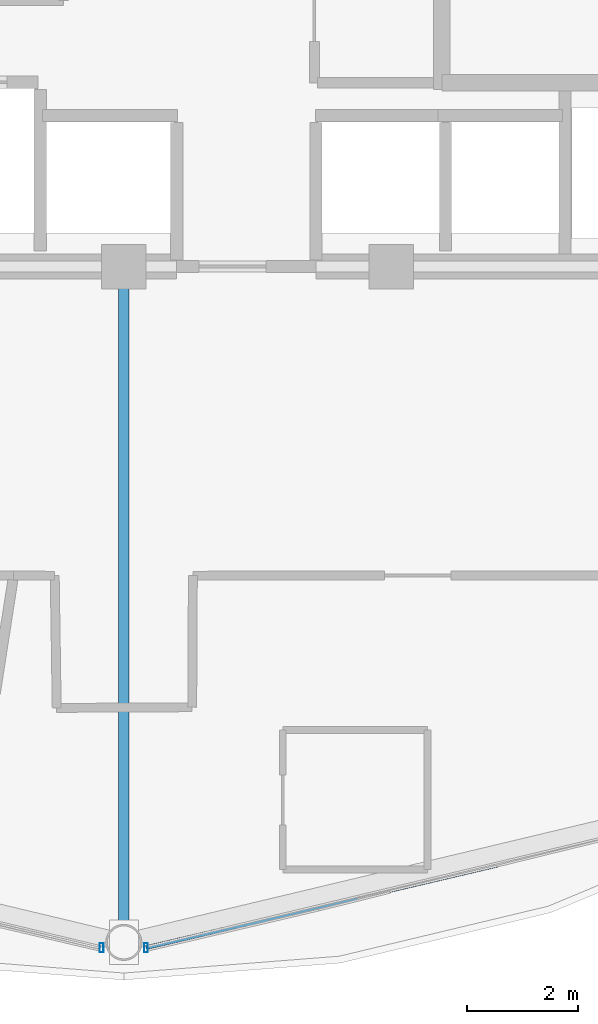
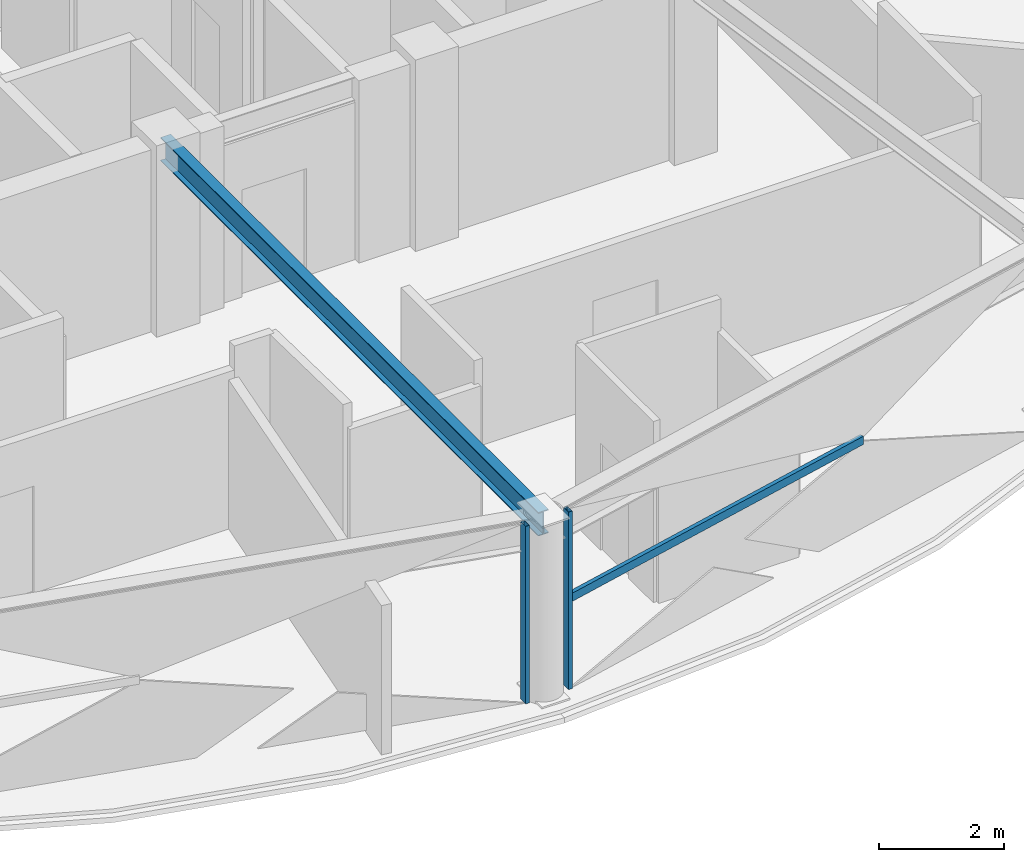
# One storey, part 5 of 28: 3 members, 1 beam, 2 elements without a shape of their own.
"""IFC4 building model written with IfcOpenShell, lengths in metres."""

from ifc_helpers import new_model, si_unit, direction, frame, origin, origin_2d, place, context, subcontext, project, spatial, hollow_rectangle, i_section, extrude, material, layer, layer_set, material_profile, profile_set, type_object, element, aggregate, save


model = new_model("IFC4")

# Units and contexts
model_context = context("Model", 3, precision=1e-05, world=origin(), true_north=direction((0.0, 1.0)))
body_context = subcontext(model_context, "Body", "Model", "MODEL_VIEW")
ifc_project = project(units=[si_unit("LENGTHUNIT", "METRE"), si_unit("AREAUNIT", "SQUARE_METRE"), si_unit("VOLUMEUNIT", "CUBIC_METRE"), si_unit("PLANEANGLEUNIT", "RADIAN"), si_unit("MASSUNIT", "GRAM", prefix="KILO")], contexts=[model_context])

# Site, building, storey
site_placement = place(None, origin())
site = spatial("IfcSite", under=ifc_project, at=site_placement, CompositionType="ELEMENT")
building_placement = place(site_placement, origin())
building = spatial("IfcBuilding", under=site, at=building_placement, Name="Vantalir Tower", CompositionType="ELEMENT")
storey_placement = place(building_placement, frame((0.0, 0.0, 246.14990234375)))
storey = spatial("IfcBuildingStorey", under=building, at=storey_placement, Name="L62", CompositionType="ELEMENT", Elevation=246.14990234375)

# Beam
ifc_material_1 = material(Name="Steel S355", Category="steel")
ifc_material_profile_1 = material_profile(ifc_material_1, i_section(OverallWidth=0.19189453125, OverallDepth=0.462890625, WebThickness=0.010498046875, FlangeThickness=0.017578125, at=origin_2d()), Name="Steel S355")
ifc_profile_set_1 = profile_set([ifc_material_profile_1], Name="Steel S355")
beam_type = type_object("IfcBeamType", Name="BM-RB-457x191", PredefinedType="BEAM", material=ifc_profile_set_1)
beam_placement = place(storey_placement, frame((31.5, 5.6669921875, 3.338134765625), z_axis=(0.0, 1.0, 0.0), x_axis=(-1.0, 0.0, 0.0)))
element("IfcBeam", 1, at=beam_placement, inside=storey, type_object=beam_type, Name="L62 Radial Floor Beam 10", PredefinedType="BEAM", context=body_context, shape_type="SweptSolid", body=[
    extrude(i_section(OverallWidth=0.19189453125, OverallDepth=0.462890625, WebThickness=0.010498046875, FlangeThickness=0.017578125, at=origin_2d()), origin(), (0.0, 0.0, 1.0), 12.133056640625),
])

# Curtain wall, member
ifc_material_2 = material(Name="Champagne-silver PVDF aluminium and double-silver Low-E glass", Category="aluminium")
ifc_layer = layer(ifc_material_2, 0.2099609375)
ifc_layer_set = layer_set([ifc_layer], Name="Champagne-silver PVDF aluminium and double-silver Low-E glass")
curtain_wall_type = type_object("IfcCurtainWallType", Name="CW-DIAMOND-Z3", PredefinedType="USERDEFINED", material=ifc_layer_set)
curtain_wall_1_placement = place(storey_placement, origin())
curtain_wall_1 = element("IfcCurtainWall", 2, at=curtain_wall_1_placement, inside=storey, type_object=curtain_wall_type, Name="L62 Quilted Pyramid-Diamond Curtain Wall S09", ObjectType="UNITISED CURTAIN WALL", PredefinedType="USERDEFINED")
ifc_material_3 = material(Name="Champagne-silver PVDF aluminium 6063-T6", Category="aluminium")
ifc_material_profile_2 = material_profile(ifc_material_3, hollow_rectangle(XDim=0.070068359375, YDim=0.1650390625, WallThickness=0.00390625, at=origin_2d()), Name="Champagne-silver PVDF aluminium 6063-T6")
ifc_profile_set_2 = profile_set([ifc_material_profile_2], Name="Champagne-silver PVDF aluminium 6063-T6")
member_type_1 = type_object("IfcMemberType", Name="CWM-165x70", PredefinedType="MULLION", material=ifc_profile_set_2)
member_1_placement = place(storey_placement, frame((31.10107421875, 5.572021484375, 0.045166015625), z_axis=(0.0, 0.0, 1.0), x_axis=(1.0, 0.0, 0.0)))
member_1 = element("IfcMember", 3, at=member_1_placement, type_object=member_type_1, Name="CW-L62-S09 Mullion 2", PredefinedType="MULLION", context=body_context, shape_type="SweptSolid", body=[
    extrude(hollow_rectangle(XDim=0.070068359375, YDim=0.1650390625, WallThickness=0.00390625, at=origin_2d()), origin(), (0.0, 0.0, 1.0), 3.47998046875),
])
aggregate(curtain_wall_1, [member_1])

# Curtain wall, members
curtain_wall_2_placement = place(storey_placement, origin())
curtain_wall_2 = element("IfcCurtainWall", 4, at=curtain_wall_2_placement, inside=storey, type_object=curtain_wall_type, Name="L62 Quilted Pyramid-Diamond Curtain Wall S10", ObjectType="UNITISED CURTAIN WALL", PredefinedType="USERDEFINED")
member_2_placement = place(storey_placement, frame((31.89892578125, 5.572021484375, 0.045166015625), z_axis=(0.0, 0.0, 1.0), x_axis=(1.0, 0.0, 0.0)))
member_2 = element("IfcMember", 5, at=member_2_placement, type_object=member_type_1, Name="CW-L62-S10 Mullion 1", PredefinedType="MULLION", context=body_context, shape_type="SweptSolid", body=[
    extrude(hollow_rectangle(XDim=0.070068359375, YDim=0.1650390625, WallThickness=0.00390625, at=origin_2d()), origin(), (0.0, 0.0, 1.0), 3.47998046875),
])
ifc_material_profile_3 = material_profile(ifc_material_3, hollow_rectangle(XDim=0.074951171875, YDim=0.159912109375, WallThickness=0.00390625, at=origin_2d()), Name="Champagne-silver PVDF aluminium 6063-T6")
ifc_profile_set_3 = profile_set([ifc_material_profile_3], Name="Champagne-silver PVDF aluminium 6063-T6")
member_type_2 = type_object("IfcMemberType", Name="CWT-160x75", PredefinedType="USERDEFINED", material=ifc_profile_set_3)
member_3_placement = place(storey_placement, frame((31.89892578125, 5.572021484375, 1.78515625), z_axis=(0.973473493808, 0.2287998183, 0.0), x_axis=(-0.2287998183, 0.973473493808, 0.0)))
member_3 = element("IfcMember", 6, at=member_3_placement, type_object=member_type_2, Name="CW-L62-S10 Pyramid Fold Ridge Transom", ObjectType="TRANSOM", PredefinedType="USERDEFINED", context=body_context, shape_type="SweptSolid", body=[
    extrude(hollow_rectangle(XDim=0.074951171875, YDim=0.159912109375, WallThickness=0.00390625, at=origin_2d()), origin(), (0.0, 0.0, 1.0), 6.47705078125),
])
aggregate(curtain_wall_2, [member_2, member_3])

save(model, "model.ifc")
